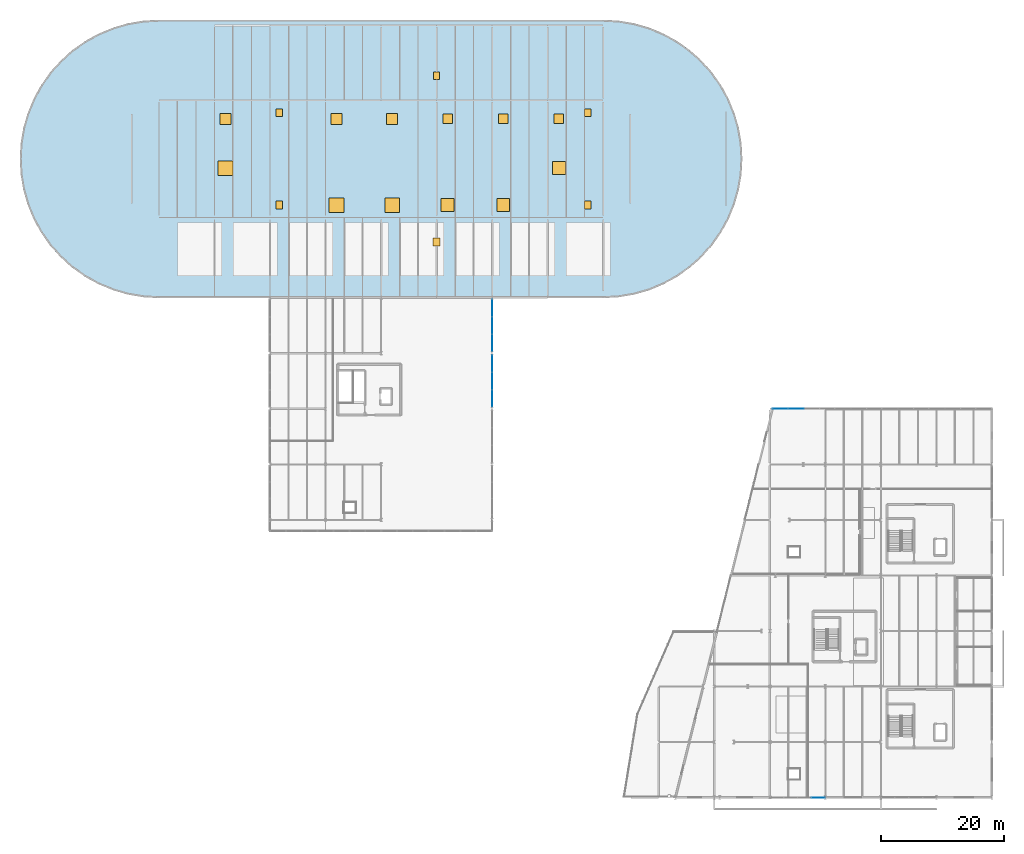
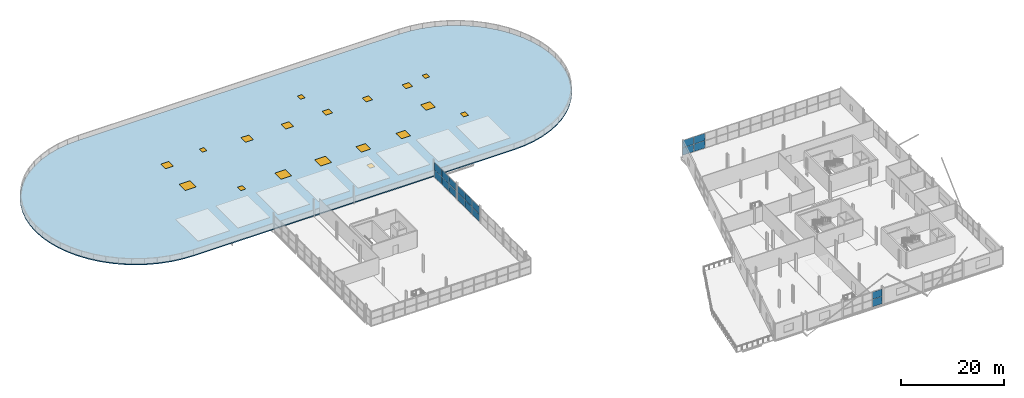
# One storey, part 50 of 59: 18 plates, 12 windows, 6 doors, 1 slab, 18 openings, 4 elements without a shape of their own.
"""IFC4 building model written with IfcOpenShell, lengths in metres."""

from ifc_helpers import new_model, si_unit, direction, frame, origin, origin_2d, place, context, subcontext, project, spatial, polyline, rectangle, outline, extrude, material, layer, layer_set, type_object, element, fill, aggregate, save


model = new_model("IFC4")

# Units and contexts
model_context = context("Model", 3, precision=1e-05, world=origin(), true_north=direction((0.0, 1.0)))
body_context = subcontext(model_context, "Body", "Model", "MODEL_VIEW")
ifc_project = project(units=[si_unit("LENGTHUNIT", "METRE"), si_unit("AREAUNIT", "SQUARE_METRE"), si_unit("VOLUMEUNIT", "CUBIC_METRE"), si_unit("PLANEANGLEUNIT", "RADIAN"), si_unit("MASSUNIT", "GRAM", prefix="KILO")], contexts=[model_context])

# Site, building, storey
site_placement = place(None, origin())
site = spatial("IfcSite", under=ifc_project, at=site_placement, CompositionType="ELEMENT")
building_placement = place(site_placement, origin())
building = spatial("IfcBuilding", under=site, at=building_placement, Name="Deido Ridge Mobility Hub", CompositionType="ELEMENT")
storey_placement = place(building_placement, frame((0.0, 0.0, 21.0)))
storey = spatial("IfcBuildingStorey", under=building, at=storey_placement, Name="L05", CompositionType="ELEMENT", Elevation=21.0)

# Curtain wall, plates
ifc_material_1 = material(Name="Anodised aluminium EN AW-6063 T6", Category="aluminium")
ifc_layer_1 = layer(ifc_material_1, 0.16796875, Name="Anodised aluminium EN AW-6063 T6")
ifc_layer_set_1 = layer_set([ifc_layer_1], Name="Anodised aluminium EN AW-6063 T6")
curtain_wall_type_1 = type_object("IfcCurtainWallType", Name="CW-GS-4", PredefinedType="USERDEFINED", material=ifc_layer_set_1)
curtain_wall_1_placement = place(storey_placement, origin())
curtain_wall_1 = element("IfcCurtainWall", 1, at=curtain_wall_1_placement, inside=storey, type_object=curtain_wall_type_1, Name="Unitised curtain wall GS4", ObjectType="GLAZED SCREEN", PredefinedType="USERDEFINED")
ifc_material_2 = material(Name="Laminated solar-control low-E glass", Category="glass")
ifc_layer_2 = layer(ifc_material_2, 0.02587890625, Name="Laminated solar-control low-E glass")
ifc_layer_set_2 = layer_set([ifc_layer_2], Name="Laminated solar-control low-E glass")
plate_type = type_object("IfcPlateType", Name="PLT-CWP-26", PredefinedType="CURTAIN_PANEL", material=ifc_layer_set_2)
plate_1_placement = place(storey_placement, frame((99.0, 64.67919921875, 0.050048828125), z_axis=(0.0, 0.0, 1.0), x_axis=(0.0, 1.0, 0.0)))
plate_1 = element("IfcPlate", 2, at=plate_1_placement, type_object=plate_type, Name="GS4 panel 1.1", PredefinedType="CURTAIN_PANEL", context=body_context, shape_type="SweptSolid", body=[
    extrude(rectangle(XDim=2.75830078125, YDim=0.02587890625, at=origin_2d()), origin(), (0.0, 0.0, 1.0), 1.72509765625),
])
plate_2_placement = place(storey_placement, frame((99.0, 64.67919921875, 1.824951171875), z_axis=(0.0, 0.0, 1.0), x_axis=(0.0, 1.0, 0.0)))
plate_2 = element("IfcPlate", 3, at=plate_2_placement, type_object=plate_type, Name="GS4 panel 1.2", PredefinedType="CURTAIN_PANEL", context=body_context, shape_type="SweptSolid", body=[
    extrude(rectangle(XDim=2.75830078125, YDim=0.02587890625, at=origin_2d()), origin(), (0.0, 0.0, 1.0), 1.72509765625),
])
plate_3_placement = place(storey_placement, frame((99.0, 67.5, 0.050048828125), z_axis=(0.0, 0.0, 1.0), x_axis=(0.0, 1.0, 0.0)))
plate_3 = element("IfcPlate", 4, at=plate_3_placement, type_object=plate_type, Name="GS4 panel 2.1", PredefinedType="CURTAIN_PANEL", context=body_context, shape_type="SweptSolid", body=[
    extrude(rectangle(XDim=2.783447265625, YDim=0.02587890625, at=origin_2d()), origin(), (0.0, 0.0, 1.0), 1.72509765625),
])
plate_4_placement = place(storey_placement, frame((99.0, 67.5, 1.824951171875), z_axis=(0.0, 0.0, 1.0), x_axis=(0.0, 1.0, 0.0)))
plate_4 = element("IfcPlate", 5, at=plate_4_placement, type_object=plate_type, Name="GS4 panel 2.2", PredefinedType="CURTAIN_PANEL", context=body_context, shape_type="SweptSolid", body=[
    extrude(rectangle(XDim=2.783447265625, YDim=0.02587890625, at=origin_2d()), origin(), (0.0, 0.0, 1.0), 1.72509765625),
])
plate_5_placement = place(storey_placement, frame((99.0, 70.32080078125, 0.050048828125), z_axis=(0.0, 0.0, 1.0), x_axis=(0.0, 1.0, 0.0)))
plate_5 = element("IfcPlate", 6, at=plate_5_placement, type_object=plate_type, Name="GS4 panel 3.1", PredefinedType="CURTAIN_PANEL", context=body_context, shape_type="SweptSolid", body=[
    extrude(rectangle(XDim=2.75830078125, YDim=0.02587890625, at=origin_2d()), origin(), (0.0, 0.0, 1.0), 1.72509765625),
])
plate_6_placement = place(storey_placement, frame((99.0, 70.32080078125, 1.824951171875), z_axis=(0.0, 0.0, 1.0), x_axis=(0.0, 1.0, 0.0)))
plate_6 = element("IfcPlate", 7, at=plate_6_placement, type_object=plate_type, Name="GS4 panel 3.2", PredefinedType="CURTAIN_PANEL", context=body_context, shape_type="SweptSolid", body=[
    extrude(rectangle(XDim=2.75830078125, YDim=0.02587890625, at=origin_2d()), origin(), (0.0, 0.0, 1.0), 1.72509765625),
])
aggregate(curtain_wall_1, [plate_1, plate_2, plate_3, plate_4, plate_5, plate_6])

curtain_wall_2_placement = place(storey_placement, origin())
curtain_wall_2 = element("IfcCurtainWall", 8, at=curtain_wall_2_placement, inside=storey, type_object=curtain_wall_type_1, Name="Unitised curtain wall GS4", ObjectType="GLAZED SCREEN", PredefinedType="USERDEFINED")
plate_7_placement = place(storey_placement, frame((99.0, 73.67919921875, 0.050048828125), z_axis=(0.0, 0.0, 1.0), x_axis=(0.0, 1.0, 0.0)))
plate_7 = element("IfcPlate", 9, at=plate_7_placement, type_object=plate_type, Name="GS4 panel 1.1", PredefinedType="CURTAIN_PANEL", context=body_context, shape_type="SweptSolid", body=[
    extrude(rectangle(XDim=2.75830078125, YDim=0.02587890625, at=origin_2d()), origin(), (0.0, 0.0, 1.0), 1.72509765625),
])
plate_8_placement = place(storey_placement, frame((99.0, 73.67919921875, 1.824951171875), z_axis=(0.0, 0.0, 1.0), x_axis=(0.0, 1.0, 0.0)))
plate_8 = element("IfcPlate", 10, at=plate_8_placement, type_object=plate_type, Name="GS4 panel 1.2", PredefinedType="CURTAIN_PANEL", context=body_context, shape_type="SweptSolid", body=[
    extrude(rectangle(XDim=2.75830078125, YDim=0.02587890625, at=origin_2d()), origin(), (0.0, 0.0, 1.0), 1.72509765625),
])
plate_9_placement = place(storey_placement, frame((99.0, 76.5, 0.050048828125), z_axis=(0.0, 0.0, 1.0), x_axis=(0.0, 1.0, 0.0)))
plate_9 = element("IfcPlate", 11, at=plate_9_placement, type_object=plate_type, Name="GS4 panel 2.1", PredefinedType="CURTAIN_PANEL", context=body_context, shape_type="SweptSolid", body=[
    extrude(rectangle(XDim=2.783447265625, YDim=0.02587890625, at=origin_2d()), origin(), (0.0, 0.0, 1.0), 1.72509765625),
])
plate_10_placement = place(storey_placement, frame((99.0, 76.5, 1.824951171875), z_axis=(0.0, 0.0, 1.0), x_axis=(0.0, 1.0, 0.0)))
plate_10 = element("IfcPlate", 12, at=plate_10_placement, type_object=plate_type, Name="GS4 panel 2.2", PredefinedType="CURTAIN_PANEL", context=body_context, shape_type="SweptSolid", body=[
    extrude(rectangle(XDim=2.783447265625, YDim=0.02587890625, at=origin_2d()), origin(), (0.0, 0.0, 1.0), 1.72509765625),
])
plate_11_placement = place(storey_placement, frame((99.0, 79.32080078125, 0.050048828125), z_axis=(0.0, 0.0, 1.0), x_axis=(0.0, 1.0, 0.0)))
plate_11 = element("IfcPlate", 13, at=plate_11_placement, type_object=plate_type, Name="GS4 panel 3.1", PredefinedType="CURTAIN_PANEL", context=body_context, shape_type="SweptSolid", body=[
    extrude(rectangle(XDim=2.75830078125, YDim=0.02587890625, at=origin_2d()), origin(), (0.0, 0.0, 1.0), 1.72509765625),
])
plate_12_placement = place(storey_placement, frame((99.0, 79.32080078125, 1.824951171875), z_axis=(0.0, 0.0, 1.0), x_axis=(0.0, 1.0, 0.0)))
plate_12 = element("IfcPlate", 14, at=plate_12_placement, type_object=plate_type, Name="GS4 panel 3.2", PredefinedType="CURTAIN_PANEL", context=body_context, shape_type="SweptSolid", body=[
    extrude(rectangle(XDim=2.75830078125, YDim=0.02587890625, at=origin_2d()), origin(), (0.0, 0.0, 1.0), 1.72509765625),
])
aggregate(curtain_wall_2, [plate_7, plate_8, plate_9, plate_10, plate_11, plate_12])

ifc_layer_3 = layer(ifc_material_1, 0.1650390625, Name="Anodised aluminium EN AW-6063 T6")
ifc_layer_set_3 = layer_set([ifc_layer_3], Name="Anodised aluminium EN AW-6063 T6")
curtain_wall_type_2 = type_object("IfcCurtainWallType", Name="CW-UF-1", PredefinedType="USERDEFINED", material=ifc_layer_set_3)
curtain_wall_3_placement = place(storey_placement, origin())
curtain_wall_3 = element("IfcCurtainWall", 15, at=curtain_wall_3_placement, inside=storey, type_object=curtain_wall_type_2, Name="Unitised curtain wall CW1", ObjectType="UNITISED FACADE", PredefinedType="USERDEFINED")
plate_13_placement = place(storey_placement, frame((151.85693359375, 0.0, 0.050048828125), z_axis=(0.0, 0.0, 1.0), x_axis=(1.0, 0.0, 0.0)))
plate_13 = element("IfcPlate", 16, at=plate_13_placement, type_object=plate_type, Name="CW1 panel 4.1", PredefinedType="CURTAIN_PANEL", context=body_context, shape_type="SweptSolid", body=[
    extrude(rectangle(XDim=2.1708984375, YDim=0.02587890625, at=origin_2d()), origin(), (0.0, 0.0, 1.0), 1.72509765625),
])
plate_14_placement = place(storey_placement, frame((151.85693359375, 0.0, 1.824951171875), z_axis=(0.0, 0.0, 1.0), x_axis=(1.0, 0.0, 0.0)))
plate_14 = element("IfcPlate", 17, at=plate_14_placement, type_object=plate_type, Name="CW1 panel 4.2", PredefinedType="CURTAIN_PANEL", context=body_context, shape_type="SweptSolid", body=[
    extrude(rectangle(XDim=2.1708984375, YDim=0.02587890625, at=origin_2d()), origin(), (0.0, 0.0, 1.0), 1.72509765625),
])
aggregate(curtain_wall_3, [plate_13, plate_14])

ifc_layer_4 = layer(ifc_material_1, 0.14404296875, Name="Anodised aluminium EN AW-6063 T6")
ifc_layer_set_4 = layer_set([ifc_layer_4], Name="Anodised aluminium EN AW-6063 T6")
curtain_wall_type_3 = type_object("IfcCurtainWallType", Name="CW-GS-2", PredefinedType="USERDEFINED", material=ifc_layer_set_4)
curtain_wall_4_placement = place(storey_placement, origin())
curtain_wall_4 = element("IfcCurtainWall", 18, at=curtain_wall_4_placement, inside=storey, type_object=curtain_wall_type_3, Name="Unitised curtain wall GS2", ObjectType="GLAZED SCREEN", PredefinedType="USERDEFINED")
plate_15_placement = place(storey_placement, frame((145.732177734375, 63.0, 0.050048828125), z_axis=(0.0, 0.0, 1.0), x_axis=(1.0, 0.0, 0.0)))
plate_15 = element("IfcPlate", 19, at=plate_15_placement, type_object=plate_type, Name="GS2 panel 1.1", PredefinedType="CURTAIN_PANEL", context=body_context, shape_type="SweptSolid", body=[
    extrude(rectangle(XDim=2.46435546875, YDim=0.02587890625, at=origin_2d()), origin(), (0.0, 0.0, 1.0), 1.72509765625),
])
plate_16_placement = place(storey_placement, frame((145.732177734375, 63.0, 1.824951171875), z_axis=(0.0, 0.0, 1.0), x_axis=(1.0, 0.0, 0.0)))
plate_16 = element("IfcPlate", 20, at=plate_16_placement, type_object=plate_type, Name="GS2 panel 1.2", PredefinedType="CURTAIN_PANEL", context=body_context, shape_type="SweptSolid", body=[
    extrude(rectangle(XDim=2.46435546875, YDim=0.02587890625, at=origin_2d()), origin(), (0.0, 0.0, 1.0), 1.72509765625),
])
plate_17_placement = place(storey_placement, frame((148.259033203125, 63.0, 0.050048828125), z_axis=(0.0, 0.0, 1.0), x_axis=(1.0, 0.0, 0.0)))
plate_17 = element("IfcPlate", 21, at=plate_17_placement, type_object=plate_type, Name="GS2 panel 2.1", PredefinedType="CURTAIN_PANEL", context=body_context, shape_type="SweptSolid", body=[
    extrude(rectangle(XDim=2.4892578125, YDim=0.02587890625, at=origin_2d()), origin(), (0.0, 0.0, 1.0), 1.72509765625),
])
plate_18_placement = place(storey_placement, frame((148.259033203125, 63.0, 1.824951171875), z_axis=(0.0, 0.0, 1.0), x_axis=(1.0, 0.0, 0.0)))
plate_18 = element("IfcPlate", 22, at=plate_18_placement, type_object=plate_type, Name="GS2 panel 2.2", PredefinedType="CURTAIN_PANEL", context=body_context, shape_type="SweptSolid", body=[
    extrude(rectangle(XDim=2.4892578125, YDim=0.02587890625, at=origin_2d()), origin(), (0.0, 0.0, 1.0), 1.72509765625),
])
aggregate(curtain_wall_4, [plate_15, plate_16, plate_17, plate_18])

# Slab, openings, doors, windows
ifc_material_3 = material(Name="Concrete C35/45", Category="concrete")
ifc_layer_5 = layer(ifc_material_3, 0.2451171875, Name="Concrete C35/45")
ifc_layer_set_5 = layer_set([ifc_layer_5], Name="Concrete C35/45")
slab_type = type_object("IfcSlabType", Name="SLB-ROOF-245", PredefinedType="ROOF", material=ifc_layer_set_5)
slab_placement = place(storey_placement, origin())
slab = element("IfcSlab", 23, at=slab_placement, inside=storey, type_object=slab_type, Name="Volume 4 closed upper parking roof deck", PredefinedType="ROOF", context=body_context, shape_type="SweptSolid", body=[
    extrude(outline(polyline([(117.0, 80.985107421875), (119.353515625, 81.1083984375), (121.68115234375, 81.47705078125), (123.95751953125, 82.0869140625), (126.15771484375, 82.931396484375), (128.257568359375, 84.00146484375), (130.23388671875, 85.284912109375), (132.0654296875, 86.76806640625), (133.73193359375, 88.4345703125), (135.215087890625, 90.26611328125), (136.49853515625, 92.242431640625), (137.568603515625, 94.34228515625), (138.4130859375, 96.54248046875), (139.02294921875, 98.81884765625), (139.3916015625, 101.146484375), (139.514892578125, 103.5), (139.3916015625, 105.853515625), (139.02294921875, 108.18115234375), (138.4130859375, 110.45751953125), (137.568603515625, 112.65771484375), (136.49853515625, 114.757568359375), (135.215087890625, 116.73388671875), (133.73193359375, 118.5654296875), (132.0654296875, 120.23193359375), (130.23388671875, 121.715087890625), (128.257568359375, 122.99853515625), (126.15771484375, 124.068603515625), (123.95751953125, 124.9130859375), (121.68115234375, 125.52294921875), (119.353515625, 125.8916015625), (117.0, 126.014892578125), (45.0, 126.014892578125), (42.646484375, 125.8916015625), (40.31884765625, 125.52294921875), (38.04248046875, 124.9130859375), (35.84228515625, 124.068603515625), (33.742431640625, 122.99853515625), (31.76611328125, 121.715087890625), (29.9345703125, 120.23193359375), (28.26806640625, 118.5654296875), (26.784912109375, 116.73388671875), (25.50146484375, 114.757568359375), (24.431396484375, 112.65771484375), (23.5869140625, 110.45751953125), (22.97705078125, 108.18115234375), (22.6083984375, 105.853515625), (22.485107421875, 103.5), (22.6083984375, 101.146484375), (22.97705078125, 98.81884765625), (23.5869140625, 96.54248046875), (24.431396484375, 94.34228515625), (25.50146484375, 92.242431640625), (26.784912109375, 90.26611328125), (28.26806640625, 88.4345703125), (29.9345703125, 86.76806640625), (31.76611328125, 85.284912109375), (33.742431640625, 84.00146484375), (35.84228515625, 82.931396484375), (38.04248046875, 82.0869140625), (40.31884765625, 81.47705078125), (42.646484375, 81.1083984375), (45.0, 80.985107421875), (117.0, 80.985107421875)]), holes=[polyline([(63.949951171875, 95.35009765625), (65.050048828125, 95.35009765625), (65.050048828125, 96.64990234375), (63.949951171875, 96.64990234375), (63.949951171875, 95.35009765625)]), polyline([(64.0, 110.39990234375), (65.0, 110.39990234375), (65.0, 111.60009765625), (64.0, 111.60009765625), (64.0, 110.39990234375)]), polyline([(89.449951171875, 89.35009765625), (90.550048828125, 89.35009765625), (90.550048828125, 90.64990234375), (89.449951171875, 90.64990234375), (89.449951171875, 89.35009765625)]), polyline([(89.5, 116.39990234375), (90.5, 116.39990234375), (90.5, 117.60009765625), (89.5, 117.60009765625), (89.5, 116.39990234375)]), polyline([(113.949951171875, 95.35009765625), (115.050048828125, 95.35009765625), (115.050048828125, 96.64990234375), (113.949951171875, 96.64990234375), (113.949951171875, 95.35009765625)]), polyline([(114.0, 110.39990234375), (115.0, 110.39990234375), (115.0, 111.60009765625), (114.0, 111.60009765625), (114.0, 110.39990234375)]), polyline([(72.60009765625, 94.800048828125), (75.0, 94.800048828125), (75.0, 97.199951171875), (72.60009765625, 97.199951171875), (72.60009765625, 94.800048828125)]), polyline([(81.60009765625, 94.800048828125), (84.0, 94.800048828125), (84.0, 97.199951171875), (81.60009765625, 97.199951171875), (81.60009765625, 94.800048828125)]), polyline([(90.75, 94.949951171875), (92.85009765625, 94.949951171875), (92.85009765625, 97.050048828125), (90.75, 97.050048828125), (90.75, 94.949951171875)]), polyline([(99.75, 94.949951171875), (101.85009765625, 94.949951171875), (101.85009765625, 97.050048828125), (99.75, 97.050048828125), (99.75, 94.949951171875)]), polyline([(54.60009765625, 100.800048828125), (57.0, 100.800048828125), (57.0, 103.199951171875), (54.60009765625, 103.199951171875), (54.60009765625, 100.800048828125)]), polyline([(108.75, 100.949951171875), (110.85009765625, 100.949951171875), (110.85009765625, 103.050048828125), (108.75, 103.050048828125), (108.75, 100.949951171875)]), polyline([(72.89990234375, 109.10009765625), (74.699951171875, 109.10009765625), (74.699951171875, 110.89990234375), (72.89990234375, 110.89990234375), (72.89990234375, 109.10009765625)]), polyline([(81.89990234375, 109.10009765625), (83.699951171875, 109.10009765625), (83.699951171875, 110.89990234375), (81.89990234375, 110.89990234375), (81.89990234375, 109.10009765625)]), polyline([(91.050048828125, 109.25), (92.550048828125, 109.25), (92.550048828125, 110.75), (91.050048828125, 110.75), (91.050048828125, 109.25)]), polyline([(100.050048828125, 109.25), (101.550048828125, 109.25), (101.550048828125, 110.75), (100.050048828125, 110.75), (100.050048828125, 109.25)]), polyline([(54.89990234375, 109.10009765625), (56.699951171875, 109.10009765625), (56.699951171875, 110.89990234375), (54.89990234375, 110.89990234375), (54.89990234375, 109.10009765625)]), polyline([(109.050048828125, 109.25), (110.550048828125, 109.25), (110.550048828125, 110.75), (109.050048828125, 110.75), (109.050048828125, 109.25)])]), origin(), (0.0, 0.0, 1.0), 0.2451171875),
])
opening_1_placement = place(slab_placement, frame((64.5, 96.0, 0.0)))
opening_1 = element("IfcOpeningElement", 24, at=opening_1_placement, cuts=slab, Name="Opening RH1", PredefinedType="OPENING", context=body_context, shape_type="SweptSolid", body=[
    extrude(rectangle(XDim=1.10009765625, YDim=1.300048828125, at=origin_2d()), origin(), (0.0, 0.0, 1.0), 0.2451171875),
])
opening_2_placement = place(slab_placement, frame((64.5, 111.0, 0.0)))
opening_2 = element("IfcOpeningElement", 25, at=opening_2_placement, cuts=slab, Name="Opening RH2", PredefinedType="OPENING", context=body_context, shape_type="SweptSolid", body=[
    extrude(rectangle(XDim=1.0, YDim=1.199951171875, at=origin_2d()), origin(), (0.0, 0.0, 1.0), 0.2451171875),
])
opening_3_placement = place(slab_placement, frame((90.0, 90.0, 0.0)))
opening_3 = element("IfcOpeningElement", 26, at=opening_3_placement, cuts=slab, Name="Opening RH3", PredefinedType="OPENING", context=body_context, shape_type="SweptSolid", body=[
    extrude(rectangle(XDim=1.10009765625, YDim=1.300048828125, at=origin_2d()), origin(), (0.0, 0.0, 1.0), 0.2451171875),
])
opening_4_placement = place(slab_placement, frame((90.0, 117.0, 0.0)))
opening_4 = element("IfcOpeningElement", 27, at=opening_4_placement, cuts=slab, Name="Opening RH4", PredefinedType="OPENING", context=body_context, shape_type="SweptSolid", body=[
    extrude(rectangle(XDim=1.0, YDim=1.199951171875, at=origin_2d()), origin(), (0.0, 0.0, 1.0), 0.2451171875),
])
opening_5_placement = place(slab_placement, frame((114.5, 96.0, 0.0)))
opening_5 = element("IfcOpeningElement", 28, at=opening_5_placement, cuts=slab, Name="Opening RH5", PredefinedType="OPENING", context=body_context, shape_type="SweptSolid", body=[
    extrude(rectangle(XDim=1.10009765625, YDim=1.300048828125, at=origin_2d()), origin(), (0.0, 0.0, 1.0), 0.2451171875),
])
opening_6_placement = place(slab_placement, frame((114.5, 111.0, 0.0)))
opening_6 = element("IfcOpeningElement", 29, at=opening_6_placement, cuts=slab, Name="Opening RH6", PredefinedType="OPENING", context=body_context, shape_type="SweptSolid", body=[
    extrude(rectangle(XDim=1.0, YDim=1.199951171875, at=origin_2d()), origin(), (0.0, 0.0, 1.0), 0.2451171875),
])
opening_7_placement = place(slab_placement, frame((73.800048828125, 96.0, 0.0)))
opening_7 = element("IfcOpeningElement", 30, at=opening_7_placement, cuts=slab, Name="Opening SK1", PredefinedType="OPENING", context=body_context, shape_type="SweptSolid", body=[
    extrude(rectangle(XDim=2.39990234375, YDim=2.39990234375, at=origin_2d()), origin(), (0.0, 0.0, 1.0), 0.2451171875),
])
opening_8_placement = place(slab_placement, frame((82.800048828125, 96.0, 0.0)))
opening_8 = element("IfcOpeningElement", 31, at=opening_8_placement, cuts=slab, Name="Opening SK1", PredefinedType="OPENING", context=body_context, shape_type="SweptSolid", body=[
    extrude(rectangle(XDim=2.39990234375, YDim=2.39990234375, at=origin_2d()), origin(), (0.0, 0.0, 1.0), 0.2451171875),
])
opening_9_placement = place(slab_placement, frame((91.800048828125, 96.0, 0.0)))
opening_9 = element("IfcOpeningElement", 32, at=opening_9_placement, cuts=slab, Name="Opening SK2", PredefinedType="OPENING", context=body_context, shape_type="SweptSolid", body=[
    extrude(rectangle(XDim=2.10009765625, YDim=2.10009765625, at=origin_2d()), origin(), (0.0, 0.0, 1.0), 0.2451171875),
])
opening_10_placement = place(slab_placement, frame((100.800048828125, 96.0, 0.0)))
opening_10 = element("IfcOpeningElement", 33, at=opening_10_placement, cuts=slab, Name="Opening SK2", PredefinedType="OPENING", context=body_context, shape_type="SweptSolid", body=[
    extrude(rectangle(XDim=2.10009765625, YDim=2.10009765625, at=origin_2d()), origin(), (0.0, 0.0, 1.0), 0.2451171875),
])
opening_11_placement = place(slab_placement, frame((55.800048828125, 102.0, 0.0)))
opening_11 = element("IfcOpeningElement", 34, at=opening_11_placement, cuts=slab, Name="Opening SK1", PredefinedType="OPENING", context=body_context, shape_type="SweptSolid", body=[
    extrude(rectangle(XDim=2.39990234375, YDim=2.39990234375, at=origin_2d()), origin(), (0.0, 0.0, 1.0), 0.2451171875),
])
opening_12_placement = place(slab_placement, frame((109.800048828125, 102.0, 0.0)))
opening_12 = element("IfcOpeningElement", 35, at=opening_12_placement, cuts=slab, Name="Opening SK2", PredefinedType="OPENING", context=body_context, shape_type="SweptSolid", body=[
    extrude(rectangle(XDim=2.10009765625, YDim=2.10009765625, at=origin_2d()), origin(), (0.0, 0.0, 1.0), 0.2451171875),
])
opening_13_placement = place(slab_placement, frame((73.800048828125, 110.0, 0.0)))
opening_13 = element("IfcOpeningElement", 36, at=opening_13_placement, cuts=slab, Name="Opening LD1", PredefinedType="OPENING", context=body_context, shape_type="SweptSolid", body=[
    extrude(rectangle(XDim=1.800048828125, YDim=1.800048828125, at=origin_2d()), origin(), (0.0, 0.0, 1.0), 0.2451171875),
])
opening_14_placement = place(slab_placement, frame((82.800048828125, 110.0, 0.0)))
opening_14 = element("IfcOpeningElement", 37, at=opening_14_placement, cuts=slab, Name="Opening LD1", PredefinedType="OPENING", context=body_context, shape_type="SweptSolid", body=[
    extrude(rectangle(XDim=1.800048828125, YDim=1.800048828125, at=origin_2d()), origin(), (0.0, 0.0, 1.0), 0.2451171875),
])
opening_15_placement = place(slab_placement, frame((91.800048828125, 110.0, 0.0)))
opening_15 = element("IfcOpeningElement", 38, at=opening_15_placement, cuts=slab, Name="Opening LD2", PredefinedType="OPENING", context=body_context, shape_type="SweptSolid", body=[
    extrude(rectangle(XDim=1.5, YDim=1.5, at=origin_2d()), origin(), (0.0, 0.0, 1.0), 0.2451171875),
])
opening_16_placement = place(slab_placement, frame((100.800048828125, 110.0, 0.0)))
opening_16 = element("IfcOpeningElement", 39, at=opening_16_placement, cuts=slab, Name="Opening LD2", PredefinedType="OPENING", context=body_context, shape_type="SweptSolid", body=[
    extrude(rectangle(XDim=1.5, YDim=1.5, at=origin_2d()), origin(), (0.0, 0.0, 1.0), 0.2451171875),
])
opening_17_placement = place(slab_placement, frame((55.800048828125, 110.0, 0.0)))
opening_17 = element("IfcOpeningElement", 40, at=opening_17_placement, cuts=slab, Name="Opening LD1", PredefinedType="OPENING", context=body_context, shape_type="SweptSolid", body=[
    extrude(rectangle(XDim=1.800048828125, YDim=1.800048828125, at=origin_2d()), origin(), (0.0, 0.0, 1.0), 0.2451171875),
])
opening_18_placement = place(slab_placement, frame((109.800048828125, 110.0, 0.0)))
opening_18 = element("IfcOpeningElement", 41, at=opening_18_placement, cuts=slab, Name="Opening LD2", PredefinedType="OPENING", context=body_context, shape_type="SweptSolid", body=[
    extrude(rectangle(XDim=1.5, YDim=1.5, at=origin_2d()), origin(), (0.0, 0.0, 1.0), 0.2451171875),
])
ifc_material_4 = material(Name="Galvanised steel work", Category="steel")
door_type_1 = type_object("IfcDoorType", Name="DR-HAT-1000X1200", OperationType="SINGLE_SWING_RIGHT", PredefinedType="TRAPDOOR", material=ifc_material_4)
door_1_placement = place(opening_2_placement, frame((0.0, 0.0, 0.195068359375)))
door_1 = element("IfcDoor", 42, at=door_1_placement, inside=storey, type_object=door_type_1, Name="Roof maintenance access hatch RH2", OperationType="SINGLE_SWING_LEFT", OverallHeight=1.199951171875, OverallWidth=1.0, PredefinedType="TRAPDOOR", context=body_context, shape_type="SweptSolid", body=[
    extrude(rectangle(XDim=1.0, YDim=1.199951171875, at=origin_2d()), origin(), (0.0, 0.0, 1.0), 0.050048828125),
])
fill(opening_2, door_1)
door_2_placement = place(opening_4_placement, frame((0.0, 0.0, 0.195068359375)))
door_2 = element("IfcDoor", 43, at=door_2_placement, inside=storey, type_object=door_type_1, Name="Roof maintenance access hatch RH4", OperationType="SINGLE_SWING_LEFT", OverallHeight=1.199951171875, OverallWidth=1.0, PredefinedType="TRAPDOOR", context=body_context, shape_type="SweptSolid", body=[
    extrude(rectangle(XDim=1.0, YDim=1.199951171875, at=origin_2d()), origin(), (0.0, 0.0, 1.0), 0.050048828125),
])
fill(opening_4, door_2)
door_3_placement = place(opening_6_placement, frame((0.0, 0.0, 0.195068359375)))
door_3 = element("IfcDoor", 44, at=door_3_placement, inside=storey, type_object=door_type_1, Name="Roof maintenance access hatch RH6", OperationType="SINGLE_SWING_LEFT", OverallHeight=1.199951171875, OverallWidth=1.0, PredefinedType="TRAPDOOR", context=body_context, shape_type="SweptSolid", body=[
    extrude(rectangle(XDim=1.0, YDim=1.199951171875, at=origin_2d()), origin(), (0.0, 0.0, 1.0), 0.050048828125),
])
fill(opening_6, door_3)
door_type_2 = type_object("IfcDoorType", Name="DR-HAT-1100X1300", OperationType="SINGLE_SWING_LEFT", PredefinedType="TRAPDOOR", material=ifc_material_4)
door_4_placement = place(opening_1_placement, frame((0.0, 0.0, 0.195068359375)))
door_4 = element("IfcDoor", 45, at=door_4_placement, inside=storey, type_object=door_type_2, Name="Roof maintenance access hatch RH1", OperationType="SINGLE_SWING_LEFT", OverallHeight=1.300048828125, OverallWidth=1.10009765625, PredefinedType="TRAPDOOR", context=body_context, shape_type="SweptSolid", body=[
    extrude(rectangle(XDim=1.10009765625, YDim=1.300048828125, at=origin_2d()), origin(), (0.0, 0.0, 1.0), 0.050048828125),
])
fill(opening_1, door_4)
door_5_placement = place(opening_3_placement, frame((0.0, 0.0, 0.195068359375)))
door_5 = element("IfcDoor", 46, at=door_5_placement, inside=storey, type_object=door_type_2, Name="Roof maintenance access hatch RH3", OperationType="SINGLE_SWING_LEFT", OverallHeight=1.300048828125, OverallWidth=1.10009765625, PredefinedType="TRAPDOOR", context=body_context, shape_type="SweptSolid", body=[
    extrude(rectangle(XDim=1.10009765625, YDim=1.300048828125, at=origin_2d()), origin(), (0.0, 0.0, 1.0), 0.050048828125),
])
fill(opening_3, door_5)
door_6_placement = place(opening_5_placement, frame((0.0, 0.0, 0.195068359375)))
door_6 = element("IfcDoor", 47, at=door_6_placement, inside=storey, type_object=door_type_2, Name="Roof maintenance access hatch RH5", OperationType="SINGLE_SWING_LEFT", OverallHeight=1.300048828125, OverallWidth=1.10009765625, PredefinedType="TRAPDOOR", context=body_context, shape_type="SweptSolid", body=[
    extrude(rectangle(XDim=1.10009765625, YDim=1.300048828125, at=origin_2d()), origin(), (0.0, 0.0, 1.0), 0.050048828125),
])
fill(opening_5, door_6)
window_type_1 = type_object("IfcWindowType", Name="WN-DME-1500X1500", PartitioningType="SINGLE_PANEL", PredefinedType="LIGHTDOME", material=ifc_material_2)
window_1_placement = place(opening_15_placement, frame((0.0, 0.0, 0.195068359375)))
window_1 = element("IfcWindow", 48, at=window_1_placement, inside=storey, type_object=window_type_1, Name="Roof daylight opening LD2-9", OverallHeight=1.5, OverallWidth=1.5, PartitioningType="SINGLE_PANEL", PredefinedType="LIGHTDOME", context=body_context, shape_type="SweptSolid", body=[
    extrude(rectangle(XDim=1.5, YDim=1.5, at=origin_2d()), origin(), (0.0, 0.0, 1.0), 0.050048828125),
])
fill(opening_15, window_1)
window_2_placement = place(opening_16_placement, frame((0.0, 0.0, 0.195068359375)))
window_2 = element("IfcWindow", 49, at=window_2_placement, inside=storey, type_object=window_type_1, Name="Roof daylight opening LD2-10", OverallHeight=1.5, OverallWidth=1.5, PartitioningType="SINGLE_PANEL", PredefinedType="LIGHTDOME", context=body_context, shape_type="SweptSolid", body=[
    extrude(rectangle(XDim=1.5, YDim=1.5, at=origin_2d()), origin(), (0.0, 0.0, 1.0), 0.050048828125),
])
fill(opening_16, window_2)
window_3_placement = place(opening_18_placement, frame((0.0, 0.0, 0.195068359375)))
window_3 = element("IfcWindow", 50, at=window_3_placement, inside=storey, type_object=window_type_1, Name="Roof daylight opening LD2-12", OverallHeight=1.5, OverallWidth=1.5, PartitioningType="SINGLE_PANEL", PredefinedType="LIGHTDOME", context=body_context, shape_type="SweptSolid", body=[
    extrude(rectangle(XDim=1.5, YDim=1.5, at=origin_2d()), origin(), (0.0, 0.0, 1.0), 0.050048828125),
])
fill(opening_18, window_3)
window_type_2 = type_object("IfcWindowType", Name="WN-DME-1800X1800", PartitioningType="SINGLE_PANEL", PredefinedType="LIGHTDOME", material=ifc_material_2)
window_4_placement = place(opening_13_placement, frame((0.0, 0.0, 0.195068359375)))
window_4 = element("IfcWindow", 51, at=window_4_placement, inside=storey, type_object=window_type_2, Name="Roof daylight opening LD1-7", OverallHeight=1.800048828125, OverallWidth=1.800048828125, PartitioningType="SINGLE_PANEL", PredefinedType="LIGHTDOME", context=body_context, shape_type="SweptSolid", body=[
    extrude(rectangle(XDim=1.800048828125, YDim=1.800048828125, at=origin_2d()), origin(), (0.0, 0.0, 1.0), 0.050048828125),
])
fill(opening_13, window_4)
window_5_placement = place(opening_14_placement, frame((0.0, 0.0, 0.195068359375)))
window_5 = element("IfcWindow", 52, at=window_5_placement, inside=storey, type_object=window_type_2, Name="Roof daylight opening LD1-8", OverallHeight=1.800048828125, OverallWidth=1.800048828125, PartitioningType="SINGLE_PANEL", PredefinedType="LIGHTDOME", context=body_context, shape_type="SweptSolid", body=[
    extrude(rectangle(XDim=1.800048828125, YDim=1.800048828125, at=origin_2d()), origin(), (0.0, 0.0, 1.0), 0.050048828125),
])
fill(opening_14, window_5)
window_6_placement = place(opening_17_placement, frame((0.0, 0.0, 0.195068359375)))
window_6 = element("IfcWindow", 53, at=window_6_placement, inside=storey, type_object=window_type_2, Name="Roof daylight opening LD1-11", OverallHeight=1.800048828125, OverallWidth=1.800048828125, PartitioningType="SINGLE_PANEL", PredefinedType="LIGHTDOME", context=body_context, shape_type="SweptSolid", body=[
    extrude(rectangle(XDim=1.800048828125, YDim=1.800048828125, at=origin_2d()), origin(), (0.0, 0.0, 1.0), 0.050048828125),
])
fill(opening_17, window_6)
window_type_3 = type_object("IfcWindowType", Name="WN-SKY-2100X2100", PartitioningType="SINGLE_PANEL", PredefinedType="SKYLIGHT", material=ifc_material_2)
window_7_placement = place(opening_9_placement, frame((0.0, 0.0, 0.195068359375)))
window_7 = element("IfcWindow", 54, at=window_7_placement, inside=storey, type_object=window_type_3, Name="Roof daylight opening SK2-3", OverallHeight=2.10009765625, OverallWidth=2.10009765625, PartitioningType="SINGLE_PANEL", PredefinedType="SKYLIGHT", context=body_context, shape_type="SweptSolid", body=[
    extrude(rectangle(XDim=2.10009765625, YDim=2.10009765625, at=origin_2d()), origin(), (0.0, 0.0, 1.0), 0.050048828125),
])
fill(opening_9, window_7)
window_8_placement = place(opening_10_placement, frame((0.0, 0.0, 0.195068359375)))
window_8 = element("IfcWindow", 55, at=window_8_placement, inside=storey, type_object=window_type_3, Name="Roof daylight opening SK2-4", OverallHeight=2.10009765625, OverallWidth=2.10009765625, PartitioningType="SINGLE_PANEL", PredefinedType="SKYLIGHT", context=body_context, shape_type="SweptSolid", body=[
    extrude(rectangle(XDim=2.10009765625, YDim=2.10009765625, at=origin_2d()), origin(), (0.0, 0.0, 1.0), 0.050048828125),
])
fill(opening_10, window_8)
window_9_placement = place(opening_12_placement, frame((0.0, 0.0, 0.195068359375)))
window_9 = element("IfcWindow", 56, at=window_9_placement, inside=storey, type_object=window_type_3, Name="Roof daylight opening SK2-6", OverallHeight=2.10009765625, OverallWidth=2.10009765625, PartitioningType="SINGLE_PANEL", PredefinedType="SKYLIGHT", context=body_context, shape_type="SweptSolid", body=[
    extrude(rectangle(XDim=2.10009765625, YDim=2.10009765625, at=origin_2d()), origin(), (0.0, 0.0, 1.0), 0.050048828125),
])
fill(opening_12, window_9)
window_type_4 = type_object("IfcWindowType", Name="WN-SKY-2400X2400", PartitioningType="SINGLE_PANEL", PredefinedType="SKYLIGHT", material=ifc_material_2)
window_10_placement = place(opening_7_placement, frame((0.0, 0.0, 0.195068359375)))
window_10 = element("IfcWindow", 57, at=window_10_placement, inside=storey, type_object=window_type_4, Name="Roof daylight opening SK1-1", OverallHeight=2.39990234375, OverallWidth=2.39990234375, PartitioningType="SINGLE_PANEL", PredefinedType="SKYLIGHT", context=body_context, shape_type="SweptSolid", body=[
    extrude(rectangle(XDim=2.39990234375, YDim=2.39990234375, at=origin_2d()), origin(), (0.0, 0.0, 1.0), 0.050048828125),
])
fill(opening_7, window_10)
window_11_placement = place(opening_8_placement, frame((0.0, 0.0, 0.195068359375)))
window_11 = element("IfcWindow", 58, at=window_11_placement, inside=storey, type_object=window_type_4, Name="Roof daylight opening SK1-2", OverallHeight=2.39990234375, OverallWidth=2.39990234375, PartitioningType="SINGLE_PANEL", PredefinedType="SKYLIGHT", context=body_context, shape_type="SweptSolid", body=[
    extrude(rectangle(XDim=2.39990234375, YDim=2.39990234375, at=origin_2d()), origin(), (0.0, 0.0, 1.0), 0.050048828125),
])
fill(opening_8, window_11)
window_12_placement = place(opening_11_placement, frame((0.0, 0.0, 0.195068359375)))
window_12 = element("IfcWindow", 59, at=window_12_placement, inside=storey, type_object=window_type_4, Name="Roof daylight opening SK1-5", OverallHeight=2.39990234375, OverallWidth=2.39990234375, PartitioningType="SINGLE_PANEL", PredefinedType="SKYLIGHT", context=body_context, shape_type="SweptSolid", body=[
    extrude(rectangle(XDim=2.39990234375, YDim=2.39990234375, at=origin_2d()), origin(), (0.0, 0.0, 1.0), 0.050048828125),
])
fill(opening_11, window_12)

save(model, "model.ifc")
